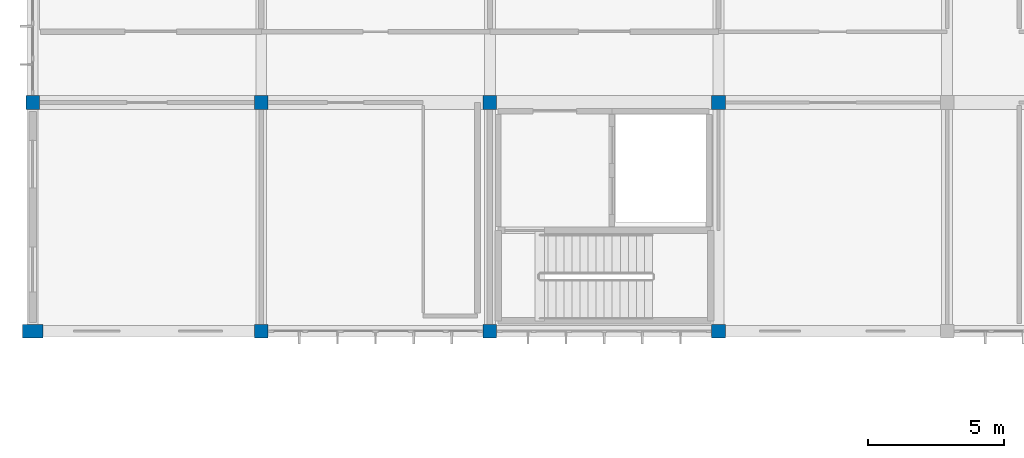
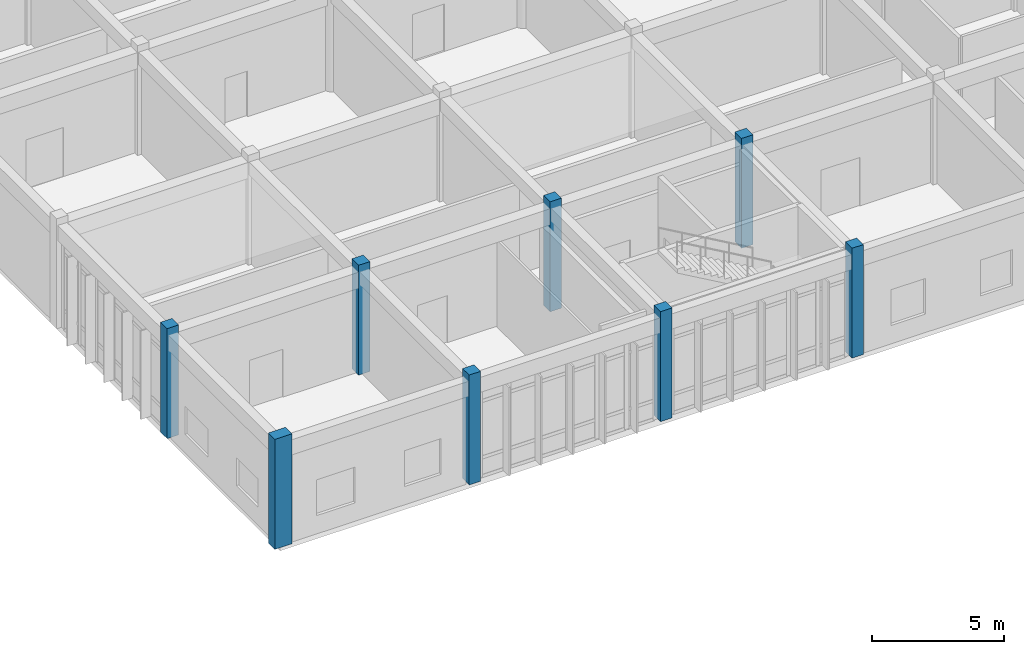
# One storey, part 2 of 134: 8 columns.
"""IFC4 building model written with IfcOpenShell, lengths in metres."""

from ifc_helpers import new_model, si_unit, direction, frame, origin, origin_2d, place, context, subcontext, project, spatial, rectangle, extrude, material, material_profile, profile_set, type_object, element, save


model = new_model("IFC4")

# Units and contexts
model_context = context("Model", 3, precision=1e-05, world=origin(), true_north=direction((0.0, 1.0)))
body_context = subcontext(model_context, "Body", "Model", "MODEL_VIEW")
ifc_project = project(units=[si_unit("LENGTHUNIT", "METRE"), si_unit("AREAUNIT", "SQUARE_METRE"), si_unit("VOLUMEUNIT", "CUBIC_METRE"), si_unit("PLANEANGLEUNIT", "RADIAN"), si_unit("MASSUNIT", "GRAM", prefix="KILO")], contexts=[model_context])

# Site, building, storey
site_placement = place(None, origin())
site = spatial("IfcSite", under=ifc_project, at=site_placement, CompositionType="ELEMENT")
building_placement = place(site_placement, origin())
building = spatial("IfcBuilding", under=site, at=building_placement, Name="Bramfleet General Hospital", CompositionType="ELEMENT")
storey_placement = place(building_placement, frame((0.0, 0.0, 9.300048828125)))
storey = spatial("IfcBuildingStorey", under=building, at=storey_placement, Name="L02", CompositionType="ELEMENT", Elevation=9.300048828125)

# Columns
ifc_material = material(Name="Concrete C40/50", Category="concrete")
ifc_material_profile_1 = material_profile(ifc_material, rectangle(XDim=0.5, YDim=0.75, at=origin_2d()), Name="RC PIL 750x500")
ifc_profile_set_1 = profile_set([ifc_material_profile_1], Name="Concrete C40/50")
column_type_1 = type_object("IfcColumnType", Name="COL-PIL750", PredefinedType="PILASTER", material=ifc_profile_set_1)
column_placement = place(storey_placement, frame((0.0, 50.39990234375, 0.0), z_axis=(0.0, 0.0, 1.0), x_axis=(0.0, 1.0, 0.0)))
element("IfcColumn", 1, at=column_placement, inside=storey, type_object=column_type_1, Name="Column COL-L02-00-06", PredefinedType="PILASTER", context=body_context, shape_type="SweptSolid", body=[
    extrude(rectangle(XDim=0.5, YDim=0.75, at=origin_2d()), origin(), (0.0, 0.0, 1.0), 5.099853515625),
])
ifc_material_profile_2 = material_profile(ifc_material, rectangle(XDim=0.5, YDim=0.5, at=origin_2d()), Name="RC COL 500x500")
ifc_profile_set_2 = profile_set([ifc_material_profile_2], Name="Concrete C40/50")
column_type_2 = type_object("IfcColumnType", Name="COL-RC500", PredefinedType="COLUMN", material=ifc_profile_set_2)
for number, where, z_axis, x_axis, name in (
    (2, (0.0, 58.800048828125, 0.0), (0.0, 0.0, 1.0), (1.0, 0.0, 0.0), "Column COL-L02-00-07"),
    (3, (8.39990234375, 50.39990234375, 0.0), (0.0, 0.0, 1.0), (1.0, 0.0, 0.0), "Column COL-L02-01-06"),
    (4, (8.39990234375, 58.800048828125, 0.0), (0.0, 0.0, 1.0), (1.0, 0.0, 0.0), "Column COL-L02-01-07"),
    (5, (16.800048828125, 50.39990234375, 0.0), (0.0, 0.0, 1.0), (1.0, 0.0, 0.0), "Column COL-L02-02-06"),
    (6, (16.800048828125, 58.800048828125, 0.0), (0.0, 0.0, 1.0), (1.0, 0.0, 0.0), "Column COL-L02-02-07"),
    (7, (25.199951171875, 50.39990234375, 0.0), (0.0, 0.0, 1.0), (1.0, 0.0, 0.0), "Column COL-L02-03-06"),
    (8, (25.199951171875, 58.800048828125, 0.0), (0.0, 0.0, 1.0), (1.0, 0.0, 0.0), "Column COL-L02-03-07"),
):
    element("IfcColumn", number, at=place(storey_placement, frame(where, z_axis=z_axis, x_axis=x_axis)), inside=storey, type_object=column_type_2, Name=name, PredefinedType="COLUMN", context=body_context, shape_type="SweptSolid", body=[
        extrude(rectangle(XDim=0.5, YDim=0.5, at=origin_2d()), origin(), (0.0, 0.0, 1.0), 5.099853515625),
    ])

save(model, "model.ifc")
